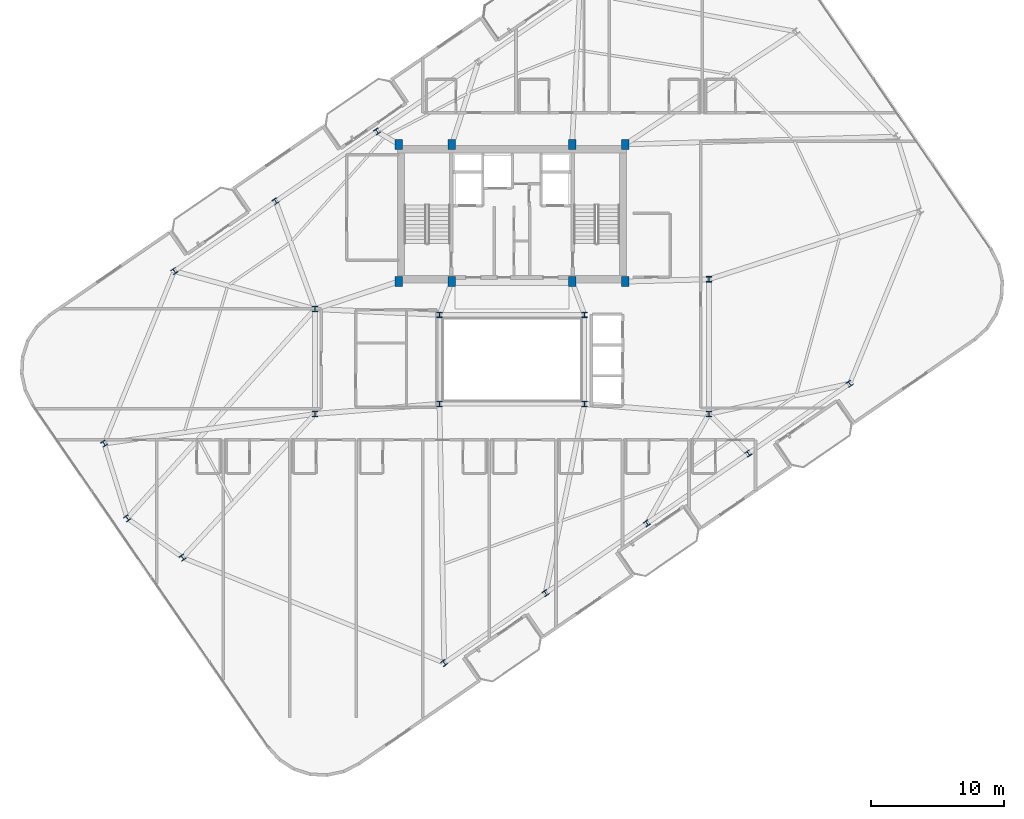
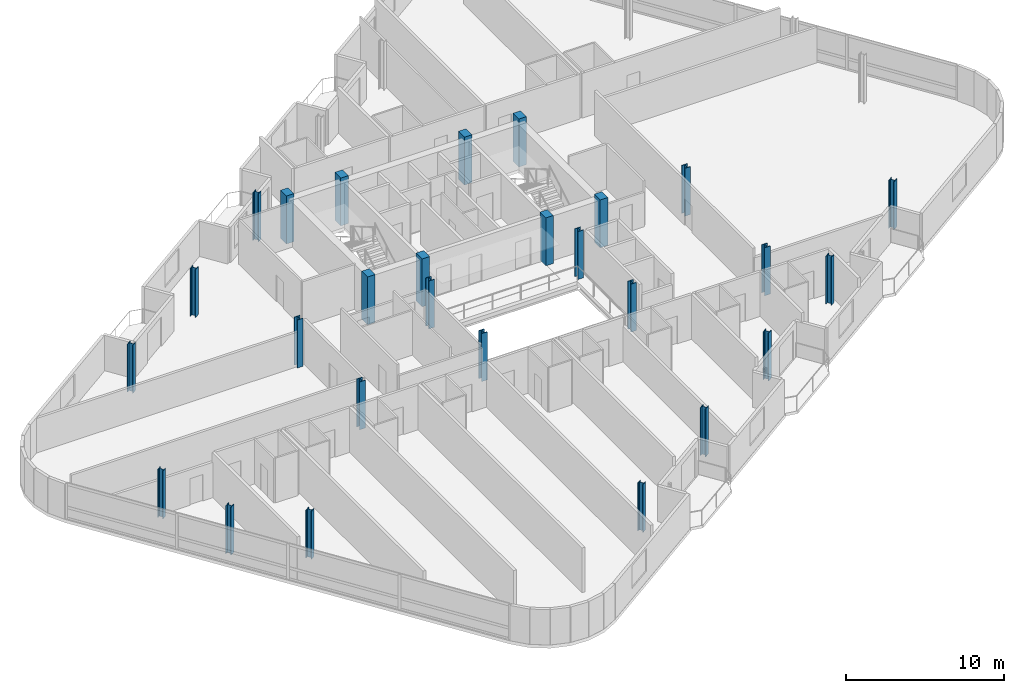
# One storey, part 1 of 22: 27 columns.
"""IFC4 building model written with IfcOpenShell, lengths in metres."""

from ifc_helpers import new_model, si_unit, direction, frame, origin, origin_2d, place, context, subcontext, project, spatial, rectangle, i_section, extrude, material, material_profile, profile_set, type_object, element, save


model = new_model("IFC4")

# Units and contexts
model_context = context("Model", 3, precision=1e-05, world=origin(), true_north=direction((0.0, 1.0)))
body_context = subcontext(model_context, "Body", "Model", "MODEL_VIEW")
ifc_project = project(units=[si_unit("LENGTHUNIT", "METRE"), si_unit("AREAUNIT", "SQUARE_METRE"), si_unit("VOLUMEUNIT", "CUBIC_METRE"), si_unit("PLANEANGLEUNIT", "RADIAN"), si_unit("MASSUNIT", "GRAM", prefix="KILO")], contexts=[model_context])

# Site, building, storey
site_placement = place(None, origin())
site = spatial("IfcSite", under=ifc_project, at=site_placement, CompositionType="ELEMENT")
building_placement = place(site_placement, origin())
building = spatial("IfcBuilding", under=site, at=building_placement, Name="Varnelok Gate Tower", CompositionType="ELEMENT")
storey_placement = place(building_placement, frame((0.0, 0.0, 280.39990234375)))
storey = spatial("IfcBuildingStorey", under=building, at=storey_placement, Name="L72", CompositionType="ELEMENT", Elevation=280.39990234375)

# Columns
ifc_material_1 = material(Name="Concrete C50/60", Category="concrete")
ifc_material_profile_1 = material_profile(ifc_material_1, rectangle(XDim=0.550048828125, YDim=0.75, at=origin_2d()), Name="RC750X550")
ifc_profile_set_1 = profile_set([ifc_material_profile_1], Name="Concrete C50/60")
column_type_1 = type_object("IfcColumnType", Name="COL-RC750X550", PredefinedType="COLUMN", material=ifc_profile_set_1)
for number, where, z_axis, x_axis, name in (
    (1, (30.699951171875, 28.75, 0.0), (0.0, 0.0, 1.0), (1.0, 0.0, 0.0), "L72 Core Spine Column SC1"),
    (2, (34.679931640625, 28.75, 0.0), (0.0, 0.0, 1.0), (1.0, 0.0, 0.0), "L72 Core Spine Column SC2"),
    (3, (43.719970703125, 28.75, 0.0), (0.0, 0.0, 1.0), (1.0, 0.0, 0.0), "L72 Core Spine Column SC3"),
    (4, (47.699951171875, 28.75, 0.0), (0.0, 0.0, 1.0), (1.0, 0.0, 0.0), "L72 Core Spine Column SC4"),
    (5, (30.699951171875, 39.050048828125, 0.0), (0.0, 0.0, 1.0), (1.0, 0.0, 0.0), "L72 Core Spine Column SC5"),
    (6, (34.679931640625, 39.050048828125, 0.0), (0.0, 0.0, 1.0), (1.0, 0.0, 0.0), "L72 Core Spine Column SC6"),
    (7, (43.719970703125, 39.050048828125, 0.0), (0.0, 0.0, 1.0), (1.0, 0.0, 0.0), "L72 Core Spine Column SC7"),
    (8, (47.699951171875, 39.050048828125, 0.0), (0.0, 0.0, 1.0), (1.0, 0.0, 0.0), "L72 Core Spine Column SC8"),
):
    element("IfcColumn", number, at=place(storey_placement, frame(where, z_axis=z_axis, x_axis=x_axis)), inside=storey, type_object=column_type_1, Name=name, PredefinedType="COLUMN", context=body_context, shape_type="SweptSolid", body=[
        extrude(rectangle(XDim=0.550048828125, YDim=0.75, at=origin_2d()), origin(), (0.0, 0.0, 1.0), 3.7001953125),
    ])
ifc_material_2 = material(Name="Structural Steel ASTM A992 Grade 50", Category="steel")
ifc_material_profile_2 = material_profile(ifc_material_2, i_section(OverallWidth=0.40087890625, OverallDepth=0.39892578125, WebThickness=0.02490234375, FlangeThickness=0.03955078125, FilletRadius=0.02197265625, at=origin_2d()), Name="W14X211")
ifc_profile_set_2 = profile_set([ifc_material_profile_2], Name="Structural Steel ASTM A992 Grade 50")
column_type_2 = type_object("IfcColumnType", Name="COL-W14X211", PredefinedType="COLUMN", material=ifc_profile_set_2)
for number, where, z_axis, x_axis, name in (
    (9, (34.107421875, 0.080810546875, 0.0), (0.0, 0.0, 1.0), (0.823532597628, 0.567268949127, 0.0), "L72 B6 Perimeter Column PC01"),
    (10, (41.72509765625, 5.327880859375, 0.0), (0.0, 0.0, 1.0), (0.823532597628, 0.567268949127, 0.0), "L72 B6 Perimeter Column PC02"),
    (11, (49.3427734375, 10.5751953125, 0.0), (0.0, 0.0, 1.0), (0.823532597628, 0.567268949127, 0.0), "L72 B6 Perimeter Column PC03"),
    (12, (56.96044921875, 15.822509765625, 0.0), (0.0, 0.0, 1.0), (0.823532597628, 0.567268949127, 0.0), "L72 B6 Perimeter Column PC04"),
    (13, (64.578125, 21.069580078125, 0.0), (0.0, 0.0, 1.0), (0.823532597628, 0.567268949127, 0.0), "L72 B6 Perimeter Column PC05"),
    (14, (29.05712890625, 40.02490234375, 0.0), (0.0, 0.0, 1.0), (0.823532597628, 0.567268949127, 0.0), "L72 B6 Perimeter Column PC11"),
    (15, (21.439697265625, 34.777587890625, 0.0), (0.0, 0.0, 1.0), (0.823532597628, 0.567268949127, 0.0), "L72 B6 Perimeter Column PC12"),
    (16, (13.822021484375, 29.5302734375, 0.0), (0.0, 0.0, 1.0), (0.823532597628, 0.567268949127, 0.0), "L72 B6 Perimeter Column PC13"),
    (17, (8.543212890625, 16.568603515625, 0.0), (0.0, 0.0, 1.0), (0.823532597628, 0.567268949127, 0.0), "L72 B6 Perimeter Column PC14"),
    (18, (10.284423828125, 10.955810546875, 0.0), (0.0, 0.0, 1.0), (0.823532597628, 0.567268949127, 0.0), "L72 B6 Perimeter Column PC15"),
    (19, (14.44287109375, 8.00390625, 0.0), (0.0, 0.0, 1.0), (0.823532597628, 0.567268949127, 0.0), "L72 B6 Perimeter Column PC16"),
):
    element("IfcColumn", number, at=place(storey_placement, frame(where, z_axis=z_axis, x_axis=x_axis)), inside=storey, type_object=column_type_2, Name=name, PredefinedType="COLUMN", context=body_context, shape_type="SweptSolid", body=[
        extrude(i_section(OverallWidth=0.40087890625, OverallDepth=0.39892578125, WebThickness=0.02490234375, FlangeThickness=0.03955078125, FilletRadius=0.02197265625, at=origin_2d()), origin(), (0.0, 0.0, 1.0), 3.7001953125),
    ])
ifc_material_profile_3 = material_profile(ifc_material_2, i_section(OverallWidth=0.406005859375, OverallDepth=0.416015625, WebThickness=0.02978515625, FlangeThickness=0.048095703125, FilletRadius=0.02490234375, at=origin_2d()), Name="W14X257")
ifc_profile_set_3 = profile_set([ifc_material_profile_3], Name="Structural Steel ASTM A992 Grade 50")
column_type_3 = type_object("IfcColumnType", Name="COL-W14X257", PredefinedType="COLUMN", material=ifc_profile_set_3)
for number, where, z_axis, x_axis, name in (
    (20, (33.75, 19.550048828125, 0.0), (0.0, 0.0, 1.0), (1.0, 0.0, 0.0), "L72 Atrium Spine Column AC1"),
    (21, (44.64990234375, 19.550048828125, 0.0), (0.0, 0.0, 1.0), (1.0, 0.0, 0.0), "L72 Atrium Spine Column AC2"),
    (22, (33.75, 26.25, 0.0), (0.0, 0.0, 1.0), (1.0, 0.0, 0.0), "L72 Atrium Spine Column AC3"),
    (23, (44.64990234375, 26.25, 0.0), (0.0, 0.0, 1.0), (1.0, 0.0, 0.0), "L72 Atrium Spine Column AC4"),
    (24, (24.39990234375, 18.800048828125, 0.0), (0.0, 0.0, 1.0), (1.0, 0.0, 0.0), "L72 Wing Spine Column WS1"),
    (25, (24.39990234375, 26.679931640625, 0.0), (0.0, 0.0, 1.0), (1.0, 0.0, 0.0), "L72 Wing Spine Column WS2"),
    (26, (54.0, 18.800048828125, 0.0), (0.0, 0.0, 1.0), (1.0, 0.0, 0.0), "L72 Wing Spine Column ES1"),
    (27, (54.0, 28.919921875, 0.0), (0.0, 0.0, 1.0), (1.0, 0.0, 0.0), "L72 Wing Spine Column ES2"),
):
    element("IfcColumn", number, at=place(storey_placement, frame(where, z_axis=z_axis, x_axis=x_axis)), inside=storey, type_object=column_type_3, Name=name, PredefinedType="COLUMN", context=body_context, shape_type="SweptSolid", body=[
        extrude(i_section(OverallWidth=0.406005859375, OverallDepth=0.416015625, WebThickness=0.02978515625, FlangeThickness=0.048095703125, FilletRadius=0.02490234375, at=origin_2d()), origin(), (0.0, 0.0, 1.0), 3.7001953125),
    ])

save(model, "model.ifc")
